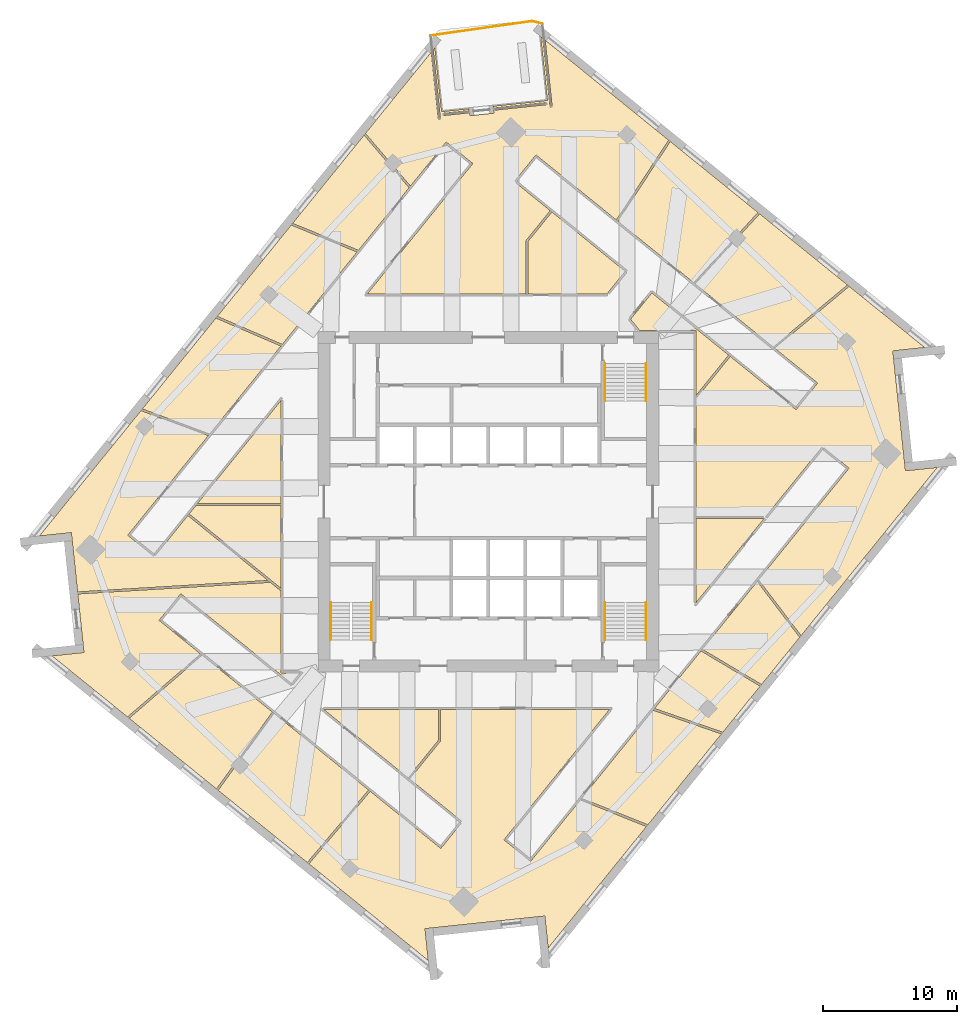
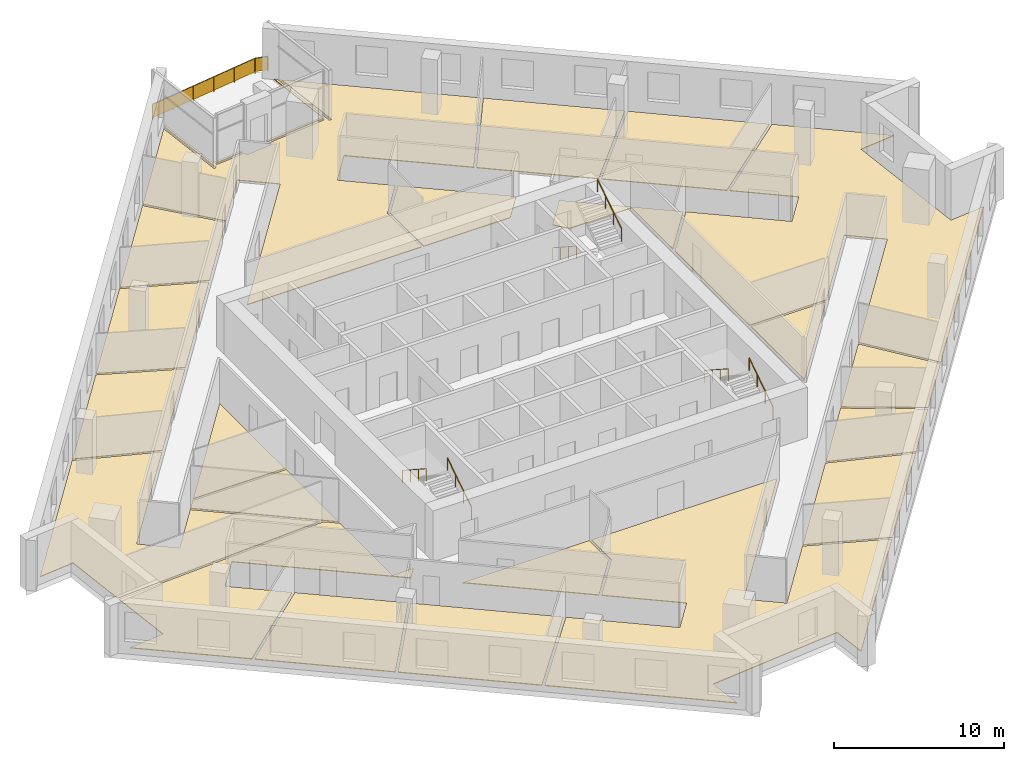
# One storey, part 13 of 14: 21 coverings, 7 railings.
"""IFC4 building model written with IfcOpenShell, lengths in metres."""

from ifc_helpers import new_model, si_unit, direction, frame, origin, origin_2d, place, context, subcontext, project, spatial, polyline, rectangle, circle, outline, extrude, material, layer, layer_set, type_object, element, save


model = new_model("IFC4")

# Units and contexts
model_context = context("Model", 3, precision=1e-05, world=origin(), true_north=direction((0.0, 1.0)))
body_context = subcontext(model_context, "Body", "Model", "MODEL_VIEW")
ifc_project = project(units=[si_unit("LENGTHUNIT", "METRE"), si_unit("AREAUNIT", "SQUARE_METRE"), si_unit("VOLUMEUNIT", "CUBIC_METRE"), si_unit("PLANEANGLEUNIT", "RADIAN"), si_unit("MASSUNIT", "GRAM", prefix="KILO")], contexts=[model_context])

# Site, building, storey
site_placement = place(None, origin())
site = spatial("IfcSite", under=ifc_project, at=site_placement, CompositionType="ELEMENT")
building_placement = place(site_placement, origin())
building = spatial("IfcBuilding", under=site, at=building_placement, Name="Dilmun Exchange Tower", CompositionType="ELEMENT")
storey_placement = place(building_placement, frame((0.0, 0.0, 229.300048828125)))
storey = spatial("IfcBuildingStorey", under=building, at=storey_placement, Name="L54", CompositionType="ELEMENT", Elevation=229.300048828125)

# Coverings
ifc_material_1 = material(Name="Carpet floor finish 50")
ifc_layer_1 = layer(ifc_material_1, 0.050048828125)
ifc_layer_set_1 = layer_set([ifc_layer_1], Name="Carpet floor finish 50")
covering_type_1 = type_object("IfcCoveringType", Name="Carpet floor finish 50", PredefinedType="FLOORING", material=ifc_layer_set_1)
covering_1_placement = place(storey_placement, origin())
element("IfcCovering", 1, at=covering_1_placement, inside=storey, type_object=covering_type_1, Name="Carpet floor finish 50 Business centre 1", PredefinedType="FLOORING", context=body_context, shape_type="SweptSolid", body=[
    extrude(outline(polyline([(-22.40185546875, -1.026611328125), (-16.419189453125, -5.871337890625), (-30.6181640625, -6.72509765625), (-31.01953125, -2.905029296875), (-31.01953125, -2.90478515625), (-31.01953125, -2.90478515625), (-31.08251953125, -2.30810546875), (-31.08251953125, -2.307861328125), (-31.08251953125, -2.3076171875), (-31.08251953125, -2.3076171875), (-31.08251953125, -2.307373046875), (-31.082763671875, -2.30712890625), (-31.082763671875, -2.306884765625), (-31.0830078125, -2.306884765625), (-31.0830078125, -2.306640625), (-31.083251953125, -2.306640625), (-31.08349609375, -2.306396484375), (-31.08349609375, -2.306396484375), (-31.083740234375, -2.306396484375), (-31.083984375, -2.306396484375), (-31.084228515625, -2.306396484375), (-31.08447265625, -2.30615234375), (-31.084716796875, -2.306396484375), (-33.464599609375, -2.556396484375), (-25.89453125, 6.791748046875), (-20.8671875, 4.920654296875), (-26.87451171875, -2.497802734375), (-24.892822265625, -4.102783203125), (-22.40185546875, -1.026611328125)])), origin(), (0.0, 0.0, 1.0), 0.050048828125),
])
covering_2_placement = place(storey_placement, origin())
element("IfcCovering", 2, at=covering_2_placement, inside=storey, type_object=covering_type_1, Name="Carpet floor finish 50 Club dining room", PredefinedType="FLOORING", context=body_context, shape_type="SweptSolid", body=[
    extrude(outline(polyline([(-16.24658203125, -6.01123046875), (-15.47509765625, -6.635986328125), (-15.47509765625, -12.774658203125), (-14.048095703125, -12.77490234375), (-14.674072265625, -13.548095703125), (-22.93310546875, -6.860107421875), (-24.53759765625, -8.841796875), (-21.4453125, -11.34619140625), (-26.896240234375, -16.048095703125), (-32.525634765625, -11.489501953125), (-30.1455078125, -11.2392578125), (-30.1455078125, -11.2392578125), (-30.145263671875, -11.2392578125), (-30.14501953125, -11.239013671875), (-30.14501953125, -11.239013671875), (-30.144775390625, -11.239013671875), (-30.14453125, -11.23876953125), (-30.144287109375, -11.23876953125), (-30.144287109375, -11.238525390625), (-30.144287109375, -11.23828125), (-30.14404296875, -11.23828125), (-30.14404296875, -11.238037109375), (-30.143798828125, -11.23779296875), (-30.143798828125, -11.237548828125), (-30.143798828125, -11.2373046875), (-30.143798828125, -11.2373046875), (-30.143798828125, -11.237060546875), (-30.20654296875, -10.640625), (-30.20654296875, -10.640380859375), (-30.20654296875, -10.640380859375), (-30.602294921875, -6.87451171875), (-16.24658203125, -6.01123046875)])), origin(), (0.0, 0.0, 1.0), 0.050048828125),
])
covering_3_placement = place(storey_placement, origin())
element("IfcCovering", 3, at=covering_3_placement, inside=storey, type_object=covering_type_1, Name="Carpet floor finish 50 Serviced office 1", PredefinedType="FLOORING", context=body_context, shape_type="SweptSolid", body=[
    extrude(outline(polyline([(-20.2666015625, -21.41650390625), (-26.77783203125, -16.143798828125), (-21.32666015625, -11.44189453125), (-16.093505859375, -15.679931640625), (-20.2666015625, -21.41650390625)])), origin(), (0.0, 0.0, 1.0), 0.050048828125),
])
covering_4_placement = place(storey_placement, origin())
element("IfcCovering", 4, at=covering_4_placement, inside=storey, type_object=covering_type_1, Name="Carpet floor finish 50 Serviced office 2", PredefinedType="FLOORING", context=body_context, shape_type="SweptSolid", body=[
    extrude(outline(polyline([(-20.767578125, 5.043701171875), (-25.794921875, 6.914794921875), (-20.307861328125, 13.69091796875), (-15.459228515625, 11.5986328125), (-20.767578125, 5.043701171875)])), origin(), (0.0, 0.0, 1.0), 0.050048828125),
])
covering_5_placement = place(storey_placement, origin())
element("IfcCovering", 5, at=covering_5_placement, inside=storey, type_object=covering_type_1, Name="Carpet floor finish 50 Serviced office 3", PredefinedType="FLOORING", context=body_context, shape_type="SweptSolid", body=[
    extrude(outline(polyline([(-15.47509765625, -6.443115234375), (-22.3076171875, -0.91015625), (-21.80615234375, -0.291015625), (-15.47509765625, -0.291015625), (-15.47509765625, -6.443115234375)])), origin(), (0.0, 0.0, 1.0), 0.050048828125),
])
covering_6_placement = place(storey_placement, origin())
element("IfcCovering", 6, at=covering_6_placement, inside=storey, type_object=covering_type_1, Name="Carpet floor finish 50 Serviced office 4", PredefinedType="FLOORING", context=body_context, shape_type="SweptSolid", body=[
    extrude(outline(polyline([(-15.361328125, 11.7197265625), (-20.209716796875, 13.811767578125), (-14.694091796875, 20.623046875), (-9.782470703125, 18.60888671875), (-15.361328125, 11.7197265625)])), origin(), (0.0, 0.0, 1.0), 0.050048828125),
])
covering_7_placement = place(storey_placement, origin())
element("IfcCovering", 7, at=covering_7_placement, inside=storey, type_object=covering_type_1, Name="Carpet floor finish 50 Meeting room 1", PredefinedType="FLOORING", context=body_context, shape_type="SweptSolid", body=[
    extrude(outline(polyline([(-15.976806640625, -15.7744140625), (-8.922607421875, -21.486572265625), (-13.497802734375, -26.897705078125), (-20.14990234375, -21.510986328125), (-15.976806640625, -15.7744140625)])), origin(), (0.0, 0.0, 1.0), 0.050048828125),
])
covering_8_placement = place(storey_placement, origin())
element("IfcCovering", 8, at=covering_8_placement, inside=storey, type_object=covering_type_1, Name="Carpet floor finish 50 Serviced office 5", PredefinedType="FLOORING", context=body_context, shape_type="SweptSolid", body=[
    extrude(outline(polyline([(-3.705810546875, -17.7626953125), (-5.98828125, -20.58154296875), (-12.29443359375, -15.47509765625), (-3.705810546875, -15.47509765625), (-3.705810546875, -17.7626953125)])), origin(), (0.0, 0.0, 1.0), 0.050048828125),
])
covering_9_placement = place(storey_placement, origin())
element("IfcCovering", 9, at=covering_9_placement, inside=storey, type_object=covering_type_1, Name="Carpet floor finish 50 Members lounge", PredefinedType="FLOORING", context=body_context, shape_type="SweptSolid", body=[
    extrude(outline(polyline([(-3.5556640625, -15.47509765625), (9.0390625, -15.47509765625), (1.16259765625, -25.201904296875), (3.144287109375, -26.806640625), (6.8515625, -22.228271484375), (11.7890625, -24.21044921875), (4.45703125, -33.264892578125), (4.206787109375, -30.884765625), (4.206787109375, -30.884521484375), (4.206787109375, -30.884521484375), (4.206787109375, -30.88427734375), (4.206787109375, -30.884033203125), (4.20654296875, -30.8837890625), (4.20654296875, -30.8837890625), (4.206298828125, -30.883544921875), (4.206298828125, -30.883544921875), (4.2060546875, -30.88330078125), (4.205810546875, -30.88330078125), (4.205810546875, -30.88330078125), (4.20556640625, -30.883056640625), (4.205322265625, -30.883056640625), (4.205078125, -30.883056640625), (4.204833984375, -30.883056640625), (4.20458984375, -30.883056640625), (3.60791015625, -30.94580078125), (-4.127685546875, -31.7587890625), (-4.724365234375, -31.821533203125), (-4.724609375, -31.821533203125), (-4.724609375, -31.821533203125), (-4.724853515625, -31.821533203125), (-4.72509765625, -31.82177734375), (-4.72509765625, -31.82177734375), (-4.725341796875, -31.822021484375), (-4.7255859375, -31.822021484375), (-4.7255859375, -31.822265625), (-4.7255859375, -31.822509765625), (-4.725830078125, -31.822509765625), (-4.725830078125, -31.82275390625), (-4.72607421875, -31.822998046875), (-4.72607421875, -31.822998046875), (-4.72607421875, -31.8232421875), (-4.72607421875, -31.823486328125), (-4.72607421875, -31.82373046875), (-4.475830078125, -34.20361328125), (-13.38134765625, -26.9921875), (-8.80615234375, -21.5810546875), (-3.546630859375, -25.840087890625), (-1.94189453125, -23.8583984375), (-5.87158203125, -20.676025390625), (-3.5556640625, -17.81591796875), (-3.5556640625, -15.47509765625)])), origin(), (0.0, 0.0, 1.0), 0.050048828125),
])
covering_10_placement = place(storey_placement, origin())
element("IfcCovering", 10, at=covering_10_placement, inside=storey, type_object=covering_type_1, Name="Carpet floor finish 50 Garden lounge", PredefinedType="FLOORING", context=body_context, shape_type="SweptSolid", body=[
    extrude(outline(polyline([(-3.48681640625, 29.0751953125), (-1.43603515625, 29.290771484375), (-1.421142578125, 29.1484375), (-3.397216796875, 28.94091796875), (-3.3974609375, 28.940673828125), (-3.397705078125, 28.940673828125), (-3.397705078125, 28.940673828125), (-3.39794921875, 28.9404296875), (-3.398193359375, 28.9404296875), (-3.398193359375, 28.940185546875), (-3.3984375, 28.940185546875), (-3.398681640625, 28.93994140625), (-3.398681640625, 28.93994140625), (-3.398681640625, 28.939697265625), (-3.39892578125, 28.939453125), (-3.39892578125, 28.939208984375), (-3.39892578125, 28.939208984375), (-3.399169921875, 28.93896484375), (-3.399169921875, 28.938720703125), (-3.399169921875, 28.938720703125), (-3.38232421875, 28.779296875), (-3.38232421875, 28.779296875), (-3.382080078125, 28.779052734375), (-3.382080078125, 28.77880859375), (-3.382080078125, 28.77880859375), (-3.382080078125, 28.778564453125), (-3.3818359375, 28.7783203125), (-3.381591796875, 28.7783203125), (-3.381591796875, 28.778076171875), (-3.38134765625, 28.778076171875), (-3.38134765625, 28.77783203125), (-3.381103515625, 28.77783203125), (-3.380859375, 28.777587890625), (-3.380615234375, 28.777587890625), (-3.380615234375, 28.777587890625), (-3.38037109375, 28.777587890625), (-3.380126953125, 28.777587890625), (-1.40380859375, 28.9853515625), (-1.381103515625, 28.7685546875), (-1.381103515625, 28.768310546875), (-1.381103515625, 28.768310546875), (-1.381103515625, 28.76806640625), (-1.380859375, 28.767822265625), (-1.380859375, 28.767578125), (-1.380615234375, 28.767578125), (-1.380615234375, 28.767333984375), (-1.38037109375, 28.76708984375), (-1.380126953125, 28.76708984375), (-1.380126953125, 28.76708984375), (-1.3798828125, 28.766845703125), (-1.379638671875, 28.766845703125), (-1.37939453125, 28.766845703125), (-1.37939453125, 28.766845703125), (-1.379150390625, 28.7666015625), (-1.37890625, 28.766845703125), (0.4111328125, 28.955078125), (0.411376953125, 28.955078125), (0.41162109375, 28.955078125), (0.41162109375, 28.955078125), (0.411865234375, 28.955078125), (0.412109375, 28.955322265625), (0.412109375, 28.955322265625), (0.412353515625, 28.95556640625), (0.41259765625, 28.955810546875), (0.41259765625, 28.955810546875), (0.41259765625, 28.9560546875), (0.412841796875, 28.956298828125), (0.412841796875, 28.956298828125), (0.412841796875, 28.95654296875), (0.4130859375, 28.956787109375), (0.4130859375, 28.95703125), (0.4130859375, 28.957275390625), (0.39013671875, 29.174072265625), (4.35546875, 29.5908203125), (4.355712890625, 29.5908203125), (4.355712890625, 29.5908203125), (4.35595703125, 29.5908203125), (4.356201171875, 29.591064453125), (4.356201171875, 29.591064453125), (4.3564453125, 29.59130859375), (4.356689453125, 29.59130859375), (4.356689453125, 29.591552734375), (4.356689453125, 29.591552734375), (4.35693359375, 29.591796875), (4.35693359375, 29.592041015625), (4.357177734375, 29.59228515625), (4.357177734375, 29.59228515625), (4.357177734375, 29.592529296875), (4.357177734375, 29.5927734375), (4.357177734375, 29.593017578125), (4.34033203125, 29.752197265625), (4.34033203125, 29.752197265625), (4.34033203125, 29.75244140625), (4.34033203125, 29.752685546875), (4.340087890625, 29.752685546875), (4.340087890625, 29.7529296875), (4.340087890625, 29.753173828125), (4.33984375, 29.75341796875), (4.339599609375, 29.75341796875), (4.339599609375, 29.75341796875), (4.33935546875, 29.753662109375), (4.339111328125, 29.753662109375), (4.339111328125, 29.75390625), (4.3388671875, 29.75390625), (4.338623046875, 29.75390625), (4.33837890625, 29.75390625), (4.338134765625, 29.75390625), (0.373046875, 29.337158203125), (0.358154296875, 29.479248046875), (4.39794921875, 29.90380859375), (3.896728515625, 34.672607421875), (4.0537109375, 34.54541015625), (4.594970703125, 29.396728515625), (4.59521484375, 29.396484375), (4.59521484375, 29.396240234375), (4.59521484375, 29.396240234375), (4.59521484375, 29.39599609375), (4.595458984375, 29.395751953125), (4.595458984375, 29.395751953125), (4.595703125, 29.3955078125), (4.595703125, 29.3955078125), (4.595947265625, 29.395263671875), (4.59619140625, 29.395263671875), (4.59619140625, 29.39501953125), (4.596435546875, 29.39501953125), (4.5966796875, 29.39501953125), (4.596923828125, 29.39501953125), (4.59716796875, 29.39501953125), (4.59716796875, 29.39501953125), (4.75634765625, 29.41162109375), (4.756591796875, 29.41162109375), (4.7568359375, 29.411865234375), (4.7568359375, 29.411865234375), (4.757080078125, 29.411865234375), (4.75732421875, 29.412109375), (4.75732421875, 29.412109375), (4.757568359375, 29.412353515625), (4.7578125, 29.412353515625), (4.7578125, 29.41259765625), (4.7578125, 29.41259765625), (4.758056640625, 29.412841796875), (4.758056640625, 29.4130859375), (4.758056640625, 29.413330078125), (4.75830078125, 29.41357421875), (4.75830078125, 29.413818359375), (4.75830078125, 29.413818359375), (4.234130859375, 34.3994140625), (13.43701171875, 26.947021484375), (9.533203125, 20.9921875), (3.546630859375, 25.840087890625), (1.94189453125, 23.8583984375), (4.615966796875, 21.69287109375), (2.7998046875, 19.4501953125), (2.7998046875, 15.47509765625), (-9.0390625, 15.47509765625), (-1.16259765625, 25.201904296875), (-3.144287109375, 26.806640625), (-5.808349609375, 23.5166015625), (-9.16943359375, 27.445556640625), (-4.26123046875, 33.506591796875), (-3.7373046875, 28.52099609375), (-3.7373046875, 28.520751953125), (-3.7373046875, 28.5205078125), (-3.737060546875, 28.5205078125), (-3.737060546875, 28.520263671875), (-3.73681640625, 28.52001953125), (-3.73681640625, 28.52001953125), (-3.73681640625, 28.519775390625), (-3.736572265625, 28.51953125), (-3.736328125, 28.51953125), (-3.736083984375, 28.519287109375), (-3.736083984375, 28.519287109375), (-3.73583984375, 28.519287109375), (-3.735595703125, 28.519287109375), (-3.7353515625, 28.51904296875), (-3.735107421875, 28.51904296875), (-3.735107421875, 28.51904296875), (-3.575927734375, 28.535888671875), (-3.57568359375, 28.535888671875), (-3.575439453125, 28.535888671875), (-3.575439453125, 28.535888671875), (-3.5751953125, 28.5361328125), (-3.574951171875, 28.5361328125), (-3.574951171875, 28.536376953125), (-3.57470703125, 28.53662109375), (-3.57470703125, 28.53662109375), (-3.574462890625, 28.536865234375), (-3.574462890625, 28.536865234375), (-3.57421875, 28.537109375), (-3.57421875, 28.537353515625), (-3.57421875, 28.53759765625), (-3.57421875, 28.53759765625), (-3.57421875, 28.537841796875), (-3.57421875, 28.5380859375), (-4.115478515625, 33.686767578125), (-3.988037109375, 33.843994140625), (-3.48681640625, 29.0751953125)])), origin(), (0.0, 0.0, 1.0), 0.050048828125),
])
covering_11_placement = place(storey_placement, origin())
element("IfcCovering", 11, at=covering_11_placement, inside=storey, type_object=covering_type_1, Name="Carpet floor finish 50 Meeting room 2", PredefinedType="FLOORING", context=body_context, shape_type="SweptSolid", body=[
    extrude(outline(polyline([(8.828369140625, 15.47509765625), (2.94970703125, 15.47509765625), (2.94970703125, 19.39697265625), (4.732421875, 21.598388671875), (10.200927734375, 17.170166015625), (8.828369140625, 15.47509765625)])), origin(), (0.0, 0.0, 1.0), 0.050048828125),
])
covering_12_placement = place(storey_placement, origin())
element("IfcCovering", 12, at=covering_12_placement, inside=storey, type_object=covering_type_1, Name="Carpet floor finish 50 Business centre 2", PredefinedType="FLOORING", context=body_context, shape_type="SweptSolid", body=[
    extrude(outline(polyline([(12.26904296875, -15.538330078125), (17.37548828125, -17.31201171875), (11.887939453125, -24.08837890625), (6.950439453125, -22.106201171875), (12.26904296875, -15.538330078125)])), origin(), (0.0, 0.0, 1.0), 0.050048828125),
])
covering_13_placement = place(storey_placement, origin())
element("IfcCovering", 13, at=covering_13_placement, inside=storey, type_object=covering_type_1, Name="Carpet floor finish 50 Members library 1", PredefinedType="FLOORING", context=body_context, shape_type="SweptSolid", body=[
    extrude(outline(polyline([(9.650390625, 20.897216796875), (13.55419921875, 26.852294921875), (20.097900390625, 21.552978515625), (15.302001953125, 16.32080078125), (9.650390625, 20.897216796875)])), origin(), (0.0, 0.0, 1.0), 0.050048828125),
])
covering_14_placement = place(storey_placement, origin())
element("IfcCovering", 14, at=covering_14_placement, inside=storey, type_object=covering_type_1, Name="Carpet floor finish 50 Serviced office 6", PredefinedType="FLOORING", context=body_context, shape_type="SweptSolid", body=[
    extrude(outline(polyline([(12.369384765625, -15.414306640625), (15.8466796875, -11.1201171875), (20.26123046875, -13.748291015625), (17.475830078125, -17.18798828125), (12.369384765625, -15.414306640625)])), origin(), (0.0, 0.0, 1.0), 0.050048828125),
])
covering_15_placement = place(storey_placement, origin())
element("IfcCovering", 15, at=covering_15_placement, inside=storey, type_object=covering_type_1, Name="Carpet floor finish 50 Members library 2", PredefinedType="FLOORING", context=body_context, shape_type="SweptSolid", body=[
    extrude(outline(polyline([(20.037109375, -5.945556640625), (23.20751953125, -10.110107421875), (20.356689453125, -13.63037109375), (15.942138671875, -11.00244140625), (20.037109375, -5.945556640625)])), origin(), (0.0, 0.0, 1.0), 0.050048828125),
])
covering_16_placement = place(storey_placement, origin())
element("IfcCovering", 16, at=covering_16_placement, inside=storey, type_object=covering_type_1, Name="Carpet floor finish 50 Serviced office 7", PredefinedType="FLOORING", context=body_context, shape_type="SweptSolid", body=[
    extrude(outline(polyline([(15.418701171875, 16.226318359375), (20.21484375, 21.45849609375), (26.769287109375, 16.15087890625), (21.2197265625, 11.528564453125), (15.418701171875, 16.226318359375)])), origin(), (0.0, 0.0, 1.0), 0.050048828125),
])
covering_17_placement = place(storey_placement, origin())
element("IfcCovering", 17, at=covering_17_placement, inside=storey, type_object=covering_type_1, Name="Carpet floor finish 50 Co-working hall", PredefinedType="FLOORING", context=body_context, shape_type="SweptSolid", body=[
    extrude(outline(polyline([(22.93310546875, 6.85986328125), (24.537841796875, 8.841552734375), (21.338623046875, 11.432373046875), (26.88818359375, 16.054443359375), (32.525634765625, 11.489501953125), (30.1455078125, 11.2392578125), (30.1455078125, 11.2392578125), (30.145263671875, 11.2392578125), (30.14501953125, 11.239013671875), (30.14501953125, 11.239013671875), (30.144775390625, 11.239013671875), (30.14453125, 11.23876953125), (30.144287109375, 11.23876953125), (30.144287109375, 11.238525390625), (30.144287109375, 11.23828125), (30.14404296875, 11.23828125), (30.14404296875, 11.238037109375), (30.143798828125, 11.23779296875), (30.143798828125, 11.237548828125), (30.143798828125, 11.2373046875), (30.143798828125, 11.2373046875), (30.143798828125, 11.237060546875), (30.20654296875, 10.640625), (30.20654296875, 10.640380859375), (30.20654296875, 10.640380859375), (31.01953125, 2.905029296875), (31.01953125, 2.90478515625), (31.01953125, 2.90478515625), (31.08251953125, 2.30810546875), (31.08251953125, 2.307861328125), (31.08251953125, 2.3076171875), (31.08251953125, 2.3076171875), (31.08251953125, 2.307373046875), (31.082763671875, 2.30712890625), (31.082763671875, 2.306884765625), (31.0830078125, 2.306884765625), (31.0830078125, 2.306640625), (31.083251953125, 2.306640625), (31.08349609375, 2.306396484375), (31.08349609375, 2.306396484375), (31.083740234375, 2.306396484375), (31.083984375, 2.306396484375), (31.084228515625, 2.306396484375), (31.08447265625, 2.30615234375), (31.084716796875, 2.306396484375), (33.464599609375, 2.556396484375), (23.3046875, -9.989990234375), (20.13427734375, -5.82568359375), (26.87451171875, 2.497802734375), (24.892822265625, 4.102783203125), (20.684814453125, -1.09375), (15.47509765625, -1.09375), (15.47509765625, 7.67529296875), (18.030029296875, 10.830322265625), (22.93310546875, 6.85986328125)])), origin(), (0.0, 0.0, 1.0), 0.050048828125),
])

# Railings
ifc_material_2 = material(Name="Stainless steel", Category="steel")
railing_type_1 = type_object("IfcRailingType", Name="Stair handrail 900", PredefinedType="HANDRAIL", material=ifc_material_2)
railing_1_placement = place(storey_placement, frame((8.699951171875, 10.300048828125, 0.181884765625)))
element("IfcRailing", 18, at=railing_1_placement, inside=storey, type_object=railing_type_1, Name="L54 ST1 stair handrail 1", PredefinedType="HANDRAIL", context=body_context, shape_type="SweptSolid", body=[
    extrude(circle(Radius=0.02392578125, at=origin_2d()), frame((0.0, 0.0, 0.8759765625), z_axis=(0.0, -0.838705829183, 0.544584733623), x_axis=(1.0, 0.0, 0.0)), (0.0, 0.0, 1.0), 3.338623046875),
    extrude(circle(Radius=0.02099609375, at=origin_2d()), origin(), (0.0, 0.0, 1.0), 0.851806640625),
    extrude(circle(Radius=0.02099609375, at=origin_2d()), frame((0.0, -0.933349609375, 0.60595703125)), (0.0, 0.0, 1.0), 0.851806640625),
    extrude(circle(Radius=0.02099609375, at=origin_2d()), frame((0.0, -1.86669921875, 1.212158203125)), (0.0, 0.0, 1.0), 0.851806640625),
    extrude(circle(Radius=0.02099609375, at=origin_2d()), frame((0.0, -2.800048828125, 1.818115234375)), (0.0, 0.0, 1.0), 0.851806640625),
])
for number, where, name in (
    (19, (11.75, 7.5, 2.181884765625), "L54 ST1 stair handrail 2"),
    (20, (-8.699951171875, -10.300048828125, 0.181884765625), "L54 ST2 stair handrail 1"),
):
    element("IfcRailing", number, at=place(storey_placement, frame(where)), inside=storey, type_object=railing_type_1, Name=name, PredefinedType="HANDRAIL", context=body_context, shape_type="SweptSolid", body=[
        extrude(circle(Radius=0.02392578125, at=origin_2d()), frame((0.0, 0.0, 0.8759765625), z_axis=(0.0, 0.838705829183, 0.544584733623), x_axis=(-1.0, 0.0, 0.0)), (0.0, 0.0, 1.0), 3.338623046875),
        extrude(circle(Radius=0.02099609375, at=origin_2d()), origin(), (0.0, 0.0, 1.0), 0.851806640625),
        extrude(circle(Radius=0.02099609375, at=origin_2d()), frame((0.0, 0.933349609375, 0.60595703125)), (0.0, 0.0, 1.0), 0.851806640625),
        extrude(circle(Radius=0.02099609375, at=origin_2d()), frame((0.0, 1.86669921875, 1.212158203125)), (0.0, 0.0, 1.0), 0.851806640625),
        extrude(circle(Radius=0.02099609375, at=origin_2d()), frame((0.0, 2.800048828125, 1.818115234375)), (0.0, 0.0, 1.0), 0.851806640625),
    ])
railing_2_placement = place(storey_placement, frame((-11.75, -7.5, 2.181884765625)))
element("IfcRailing", 21, at=railing_2_placement, inside=storey, type_object=railing_type_1, Name="L54 ST2 stair handrail 2", PredefinedType="HANDRAIL", context=body_context, shape_type="SweptSolid", body=[
    extrude(circle(Radius=0.02392578125, at=origin_2d()), frame((0.0, 0.0, 0.8759765625), z_axis=(0.0, -0.838705829183, 0.544584733623), x_axis=(1.0, 0.0, 0.0)), (0.0, 0.0, 1.0), 3.338623046875),
    extrude(circle(Radius=0.02099609375, at=origin_2d()), origin(), (0.0, 0.0, 1.0), 0.851806640625),
    extrude(circle(Radius=0.02099609375, at=origin_2d()), frame((0.0, -0.933349609375, 0.60595703125)), (0.0, 0.0, 1.0), 0.851806640625),
    extrude(circle(Radius=0.02099609375, at=origin_2d()), frame((0.0, -1.86669921875, 1.212158203125)), (0.0, 0.0, 1.0), 0.851806640625),
    extrude(circle(Radius=0.02099609375, at=origin_2d()), frame((0.0, -2.800048828125, 1.818115234375)), (0.0, 0.0, 1.0), 0.851806640625),
])
railing_3_placement = place(storey_placement, frame((11.75, -10.300048828125, 0.181884765625)))
element("IfcRailing", 22, at=railing_3_placement, inside=storey, type_object=railing_type_1, Name="L54 ST3 stair handrail 1", PredefinedType="HANDRAIL", context=body_context, shape_type="SweptSolid", body=[
    extrude(circle(Radius=0.02392578125, at=origin_2d()), frame((0.0, 0.0, 0.8759765625), z_axis=(0.0, 0.838705829183, 0.544584733623), x_axis=(-1.0, 0.0, 0.0)), (0.0, 0.0, 1.0), 3.338623046875),
    extrude(circle(Radius=0.02099609375, at=origin_2d()), origin(), (0.0, 0.0, 1.0), 0.851806640625),
    extrude(circle(Radius=0.02099609375, at=origin_2d()), frame((0.0, 0.933349609375, 0.60595703125)), (0.0, 0.0, 1.0), 0.851806640625),
    extrude(circle(Radius=0.02099609375, at=origin_2d()), frame((0.0, 1.86669921875, 1.212158203125)), (0.0, 0.0, 1.0), 0.851806640625),
    extrude(circle(Radius=0.02099609375, at=origin_2d()), frame((0.0, 2.800048828125, 1.818115234375)), (0.0, 0.0, 1.0), 0.851806640625),
])
railing_4_placement = place(storey_placement, frame((8.699951171875, -7.5, 2.181884765625)))
element("IfcRailing", 23, at=railing_4_placement, inside=storey, type_object=railing_type_1, Name="L54 ST3 stair handrail 2", PredefinedType="HANDRAIL", context=body_context, shape_type="SweptSolid", body=[
    extrude(circle(Radius=0.02392578125, at=origin_2d()), frame((0.0, 0.0, 0.8759765625), z_axis=(0.0, -0.838705829183, 0.544584733623), x_axis=(1.0, 0.0, 0.0)), (0.0, 0.0, 1.0), 3.338623046875),
    extrude(circle(Radius=0.02099609375, at=origin_2d()), origin(), (0.0, 0.0, 1.0), 0.851806640625),
    extrude(circle(Radius=0.02099609375, at=origin_2d()), frame((0.0, -0.933349609375, 0.60595703125)), (0.0, 0.0, 1.0), 0.851806640625),
    extrude(circle(Radius=0.02099609375, at=origin_2d()), frame((0.0, -1.86669921875, 1.212158203125)), (0.0, 0.0, 1.0), 0.851806640625),
    extrude(circle(Radius=0.02099609375, at=origin_2d()), frame((0.0, -2.800048828125, 1.818115234375)), (0.0, 0.0, 1.0), 0.851806640625),
])

# Covering
ifc_material_3 = material(Name="Stone floor finish 50", Category="masonry")
ifc_layer_2 = layer(ifc_material_3, 0.050048828125)
ifc_layer_set_2 = layer_set([ifc_layer_2], Name="Stone floor finish 50")
covering_type_2 = type_object("IfcCoveringType", Name="Stone floor finish 50", PredefinedType="FLOORING", material=ifc_layer_set_2)
covering_18_placement = place(storey_placement, origin())
element("IfcCovering", 24, at=covering_18_placement, inside=storey, type_object=covering_type_2, Name="Stone floor finish 50 Reception", PredefinedType="FLOORING", context=body_context, shape_type="SweptSolid", body=[
    extrude(outline(polyline([(-14.595703125, 20.744873046875), (-9.265380859375, 27.3271484375), (-5.904296875, 23.39794921875), (-9.68408203125, 18.730712890625), (-14.595703125, 20.744873046875)])), origin(), (0.0, 0.0, 1.0), 0.050048828125),
])

# Railing
railing_type_2 = type_object("IfcRailingType", Name="Terrace guard 1100 stainless steel", PredefinedType="GUARDRAIL", material=ifc_material_2)
railing_5_placement = place(storey_placement, frame((-4.30859375, 34.74169921875, 0.0)))
element("IfcRailing", 25, at=railing_5_placement, inside=storey, type_object=railing_type_2, Name="Terrace guard 1", PredefinedType="GUARDRAIL", context=body_context, shape_type="SweptSolid", body=[
    extrude(circle(Radius=0.02392578125, at=origin_2d()), frame((0.0, 0.0, 1.076171875), z_axis=(0.990097259315, 0.140383108307, 0.0), x_axis=(-0.140383108307, 0.990097259315, 0.0)), (0.0, 0.0, 1.0), 7.63818359375),
    extrude(rectangle(XDim=0.011962890625, YDim=0.951904296875, at=origin_2d()), frame((0.0, 0.0, 0.576171875), z_axis=(0.990097259315, 0.140383108307, 0.0), x_axis=(-0.140383108307, 0.990097259315, 0.0)), (0.0, 0.0, 1.0), 7.63818359375),
    extrude(circle(Radius=0.02392578125, at=origin_2d()), frame((7.5625, 1.072265625, 1.076171875), z_axis=(0.9689192778, -0.247377107082, 0.0), x_axis=(0.247377107082, 0.9689192778, 0.0)), (0.0, 0.0, 1.0), 0.79443359375),
    extrude(rectangle(XDim=0.011962890625, YDim=0.951904296875, at=origin_2d()), frame((7.5625, 1.072265625, 0.576171875), z_axis=(0.9689192778, -0.247377107082, 0.0), x_axis=(0.247377107082, 0.9689192778, 0.0)), (0.0, 0.0, 1.0), 0.79443359375),
    extrude(circle(Radius=0.02099609375, at=origin_2d()), origin(), (0.0, 0.0, 1.0), 1.052001953125),
    extrude(circle(Radius=0.02099609375, at=origin_2d()), frame((1.512451171875, 0.21435546875, 0.0)), (0.0, 0.0, 1.0), 1.052001953125),
    extrude(circle(Radius=0.02099609375, at=origin_2d()), frame((3.02490234375, 0.428955078125, 0.0)), (0.0, 0.0, 1.0), 1.052001953125),
    extrude(circle(Radius=0.02099609375, at=origin_2d()), frame((4.53759765625, 0.643310546875, 0.0)), (0.0, 0.0, 1.0), 1.052001953125),
    extrude(circle(Radius=0.02099609375, at=origin_2d()), frame((6.050048828125, 0.85791015625, 0.0)), (0.0, 0.0, 1.0), 1.052001953125),
    extrude(circle(Radius=0.02099609375, at=origin_2d()), frame((7.5625, 1.072265625, 0.0)), (0.0, 0.0, 1.0), 1.052001953125),
    extrude(circle(Radius=0.02099609375, at=origin_2d()), frame((8.332275390625, 0.875732421875, 0.0)), (0.0, 0.0, 1.0), 1.052001953125),
])

# Coverings
ifc_material_4 = material(Name="Tile floor finish 50")
ifc_layer_3 = layer(ifc_material_4, 0.050048828125)
ifc_layer_set_3 = layer_set([ifc_layer_3], Name="Tile floor finish 50")
covering_type_3 = type_object("IfcCoveringType", Name="Tile floor finish 50", PredefinedType="FLOORING", material=ifc_layer_set_3)
covering_19_placement = place(storey_placement, origin())
element("IfcCovering", 26, at=covering_19_placement, inside=storey, type_object=covering_type_3, Name="Tile floor finish 50 Pantry 1", PredefinedType="FLOORING", context=body_context, shape_type="SweptSolid", body=[
    extrude(outline(polyline([(-15.47509765625, 7.52734375), (-15.47509765625, -0.140869140625), (-21.684814453125, -0.140869140625), (-15.47509765625, 7.52734375)])), origin(), (0.0, 0.0, 1.0), 0.050048828125),
])
covering_20_placement = place(storey_placement, origin())
element("IfcCovering", 27, at=covering_20_placement, inside=storey, type_object=covering_type_3, Name="Tile floor finish 50 Pantry 2", PredefinedType="FLOORING", context=body_context, shape_type="SweptSolid", body=[
    extrude(outline(polyline([(10.59130859375, 13.60009765625), (12.182861328125, 15.5654296875), (17.913330078125, 10.9248046875), (15.47509765625, 7.913818359375), (15.47509765625, 12.77490234375), (11.2607421875, 12.77490234375), (10.59130859375, 13.60009765625)])), origin(), (0.0, 0.0, 1.0), 0.050048828125),
])
covering_21_placement = place(storey_placement, origin())
element("IfcCovering", 28, at=covering_21_placement, inside=storey, type_object=covering_type_3, Name="Tile floor finish 50 Pantry 3", PredefinedType="FLOORING", context=body_context, shape_type="SweptSolid", body=[
    extrude(outline(polyline([(20.528564453125, -1.286865234375), (15.47509765625, -7.52734375), (15.47509765625, -1.243896484375), (20.475341796875, -1.243896484375), (20.528564453125, -1.286865234375)])), origin(), (0.0, 0.0, 1.0), 0.050048828125),
])

save(model, "model.ifc")
